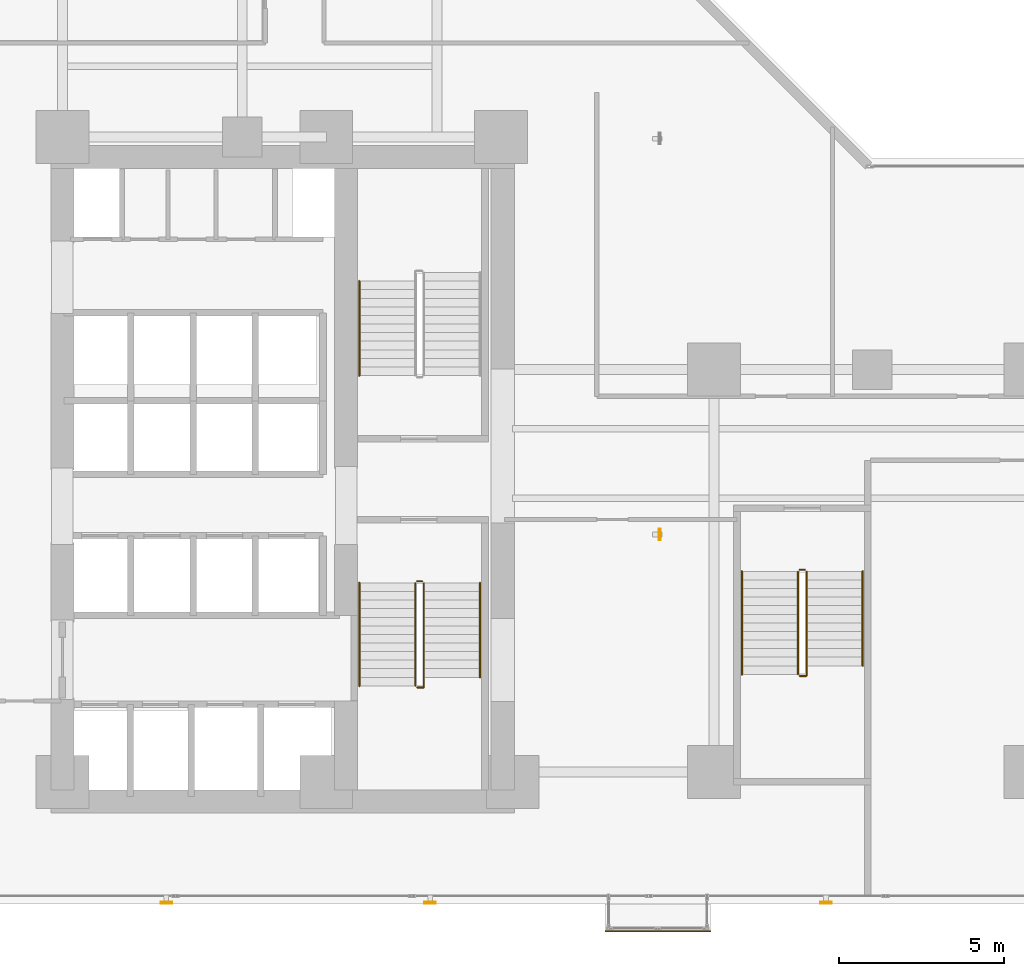
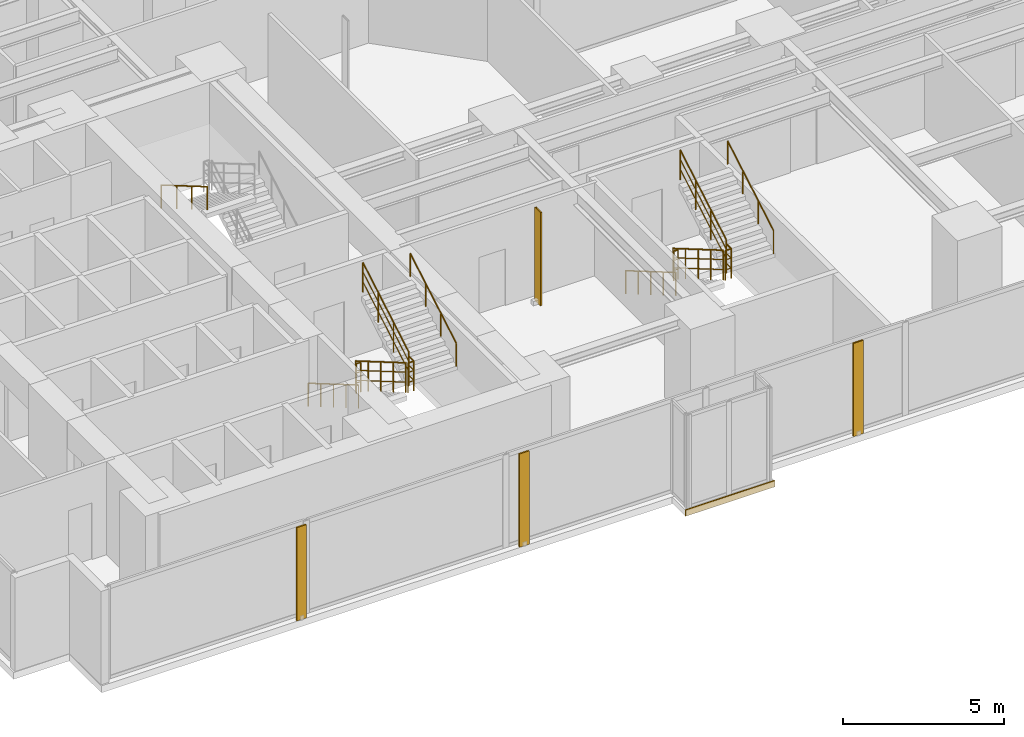
# One storey, part 25 of 26: 13 railings, 4 shading devices, 1 covering.
"""IFC4 building model written with IfcOpenShell, lengths in metres."""

from ifc_helpers import new_model, si_unit, direction, frame, origin, origin_2d, place, context, subcontext, project, spatial, rectangle, hollow_rectangle, circle, extrude, material, layer, layer_set, material_profile, profile_set, type_object, element, save


model = new_model("IFC4")

# Units and contexts
model_context = context("Model", 3, precision=1e-05, world=origin(), true_north=direction((0.0, 1.0)))
body_context = subcontext(model_context, "Body", "Model", "MODEL_VIEW")
ifc_project = project(units=[si_unit("LENGTHUNIT", "METRE"), si_unit("AREAUNIT", "SQUARE_METRE"), si_unit("VOLUMEUNIT", "CUBIC_METRE"), si_unit("PLANEANGLEUNIT", "RADIAN"), si_unit("MASSUNIT", "GRAM", prefix="KILO")], contexts=[model_context])

# Site, building, storey
site_placement = place(None, origin())
site = spatial("IfcSite", under=ifc_project, at=site_placement, CompositionType="ELEMENT")
building_placement = place(site_placement, origin())
building = spatial("IfcBuilding", under=site, at=building_placement, Name="Kolvaren Waterfront Exchange", CompositionType="ELEMENT")
storey_placement = place(building_placement, frame((0.0, 0.0, 44.800048828125)))
storey = spatial("IfcBuildingStorey", under=building, at=storey_placement, Name="L11", CompositionType="ELEMENT", Elevation=44.800048828125)

# Covering
ifc_material_1 = material(Name="Anodised bronze fascia aluminium", Category="aluminium")
ifc_layer = layer(ifc_material_1, 0.034912109375, Name="Anodised bronze fascia aluminium")
ifc_layer_set = layer_set([ifc_layer], Name="Anodised bronze fascia aluminium")
covering_type = type_object("IfcCoveringType", Name="ARC-CLAD-BRONZE-35", PredefinedType="CLADDING", material=ifc_layer_set)
covering_placement = place(storey_placement, frame((25.5, 0.3701171875, -0.22021484375), z_axis=(0.0, 0.0, 1.0), x_axis=(1.0, 0.0, 0.0)))
element("IfcCovering", 1, at=covering_placement, inside=storey, type_object=covering_type, Name="L11 ribbed anodised bronze bay-box fascia", PredefinedType="CLADDING", context=body_context, shape_type="SweptSolid", body=[
    extrude(rectangle(XDim=3.199951171875, YDim=0.034912109375, at=origin_2d()), origin(), (0.0, 0.0, 1.0), 0.239990234375),
])

# Shading devices
ifc_material_2 = material(Name="Anodised bronze aluminium 6063-T6", Category="aluminium")
ifc_material_profile = material_profile(ifc_material_2, hollow_rectangle(XDim=0.06005859375, YDim=0.35009765625, WallThickness=0.0048828125, at=origin_2d()), Name="BRZ-FIN-350x60x5")
ifc_profile_set = profile_set([ifc_material_profile], Name="Anodised bronze aluminium 6063-T6")
shading_device_type = type_object("IfcShadingDeviceType", Name="ARC-FIN-350", PredefinedType="USERDEFINED", material=ifc_profile_set)
for number, where, z_axis, x_axis, name in (
    (2, (10.60009765625, 1.239990234375, 0.0), (0.0, 0.0, 1.0), (0.0, -1.0, 0.0), "L11 anodised bronze solar shading fin FIN-L11-S1"),
    (3, (18.60009765625, 1.239990234375, 0.0), (0.0, 0.0, 1.0), (0.0, -1.0, 0.0), "L11 anodised bronze solar shading fin FIN-L11-S2"),
    (4, (30.60009765625, 1.239990234375, 0.0), (0.0, 0.0, 1.0), (0.0, -1.0, 0.0), "L11 anodised bronze solar shading fin FIN-L11-S3"),
    (5, (25.56005859375, 12.39990234375, 0.0), (0.0, 0.0, 1.0), (1.0, 0.0, 0.0), "L11 anodised bronze solar shading fin FIN-L11-E1"),
):
    element("IfcShadingDevice", number, at=place(storey_placement, frame(where, z_axis=z_axis, x_axis=x_axis)), inside=storey, type_object=shading_device_type, Name=name, ObjectType="SOLAR FIN", PredefinedType="USERDEFINED", context=body_context, shape_type="SweptSolid", body=[
        extrude(hollow_rectangle(XDim=0.06005859375, YDim=0.35009765625, WallThickness=0.0048828125, at=origin_2d()), origin(), (0.0, 0.0, 1.0), 3.5400390625),
    ])

# Railings
ifc_material_3 = material(Name="Stainless steel 316", Category="steel")
railing_type_1 = type_object("IfcRailingType", Name="ARC-GUARD-STAIR", PredefinedType="GUARDRAIL", material=ifc_material_3)
railing_1_placement = place(storey_placement, frame((18.14990234375, 10.929931640625, 0.15185546875)))
element("IfcRailing", 6, at=railing_1_placement, inside=storey, type_object=railing_type_1, Name="L11 ST1 stair guard 1", PredefinedType="GUARDRAIL", context=body_context, shape_type="SweptSolid", body=[
    extrude(circle(Radius=0.02392578125, at=origin_2d()), frame((0.0, 0.0, 1.1259765625), z_axis=(0.0, -0.86329090724, 0.504706656858), x_axis=(1.0, 0.0, 0.0)), (0.0, 0.0, 1.0), 3.614013671875),
    extrude(circle(Radius=0.01611328125, at=origin_2d()), frame((0.0, 0.0, 0.390869140625), z_axis=(0.0, -0.86329090724, 0.504706656858), x_axis=(1.0, 0.0, 0.0)), (0.0, 0.0, 1.0), 3.614013671875),
    extrude(circle(Radius=0.01611328125, at=origin_2d()), frame((0.0, 0.0, 0.7705078125), z_axis=(0.0, -0.86329090724, 0.504706656858), x_axis=(1.0, 0.0, 0.0)), (0.0, 0.0, 1.0), 3.614013671875),
    extrude(circle(Radius=0.02099609375, at=origin_2d()), origin(), (0.0, 0.0, 1.0), 1.101806640625),
    extrude(circle(Radius=0.02099609375, at=origin_2d()), frame((0.0, -0.780029296875, 0.4560546875)), (0.0, 0.0, 1.0), 1.101806640625),
    extrude(circle(Radius=0.02099609375, at=origin_2d()), frame((0.0, -1.56005859375, 0.912109375)), (0.0, 0.0, 1.0), 1.101806640625),
    extrude(circle(Radius=0.02099609375, at=origin_2d()), frame((0.0, -2.33984375, 1.367919921875)), (0.0, 0.0, 1.0), 1.101806640625),
    extrude(circle(Radius=0.02099609375, at=origin_2d()), frame((0.0, -3.119873046875, 1.823974609375)), (0.0, 0.0, 1.0), 1.101806640625),
])
railing_2_placement = place(storey_placement, frame((18.199951171875, 7.760009765625, 1.975830078125)))
element("IfcRailing", 7, at=railing_2_placement, inside=storey, type_object=railing_type_1, Name="L11 ST1 stair guard 2", PredefinedType="GUARDRAIL", context=body_context, shape_type="SweptSolid", body=[
    extrude(circle(Radius=0.02392578125, at=origin_2d()), frame((0.0, 0.0, 1.1259765625), z_axis=(1.0, 0.0, 0.0), x_axis=(0.0, 1.0, 0.0)), (0.0, 0.0, 1.0), 0.2099609375),
    extrude(circle(Radius=0.01611328125, at=origin_2d()), frame((0.0, 0.0, 0.390869140625), z_axis=(1.0, 0.0, 0.0), x_axis=(0.0, 1.0, 0.0)), (0.0, 0.0, 1.0), 0.2099609375),
    extrude(circle(Radius=0.01611328125, at=origin_2d()), frame((0.0, 0.0, 0.7705078125), z_axis=(1.0, 0.0, 0.0), x_axis=(0.0, 1.0, 0.0)), (0.0, 0.0, 1.0), 0.2099609375),
    extrude(circle(Radius=0.02392578125, at=origin_2d()), frame((0.2099609375, 0.0, 1.1259765625), z_axis=(0.0, 1.0, 0.0), x_axis=(-1.0, 0.0, 0.0)), (0.0, 0.0, 1.0), 0.31005859375),
    extrude(circle(Radius=0.01611328125, at=origin_2d()), frame((0.2099609375, 0.0, 0.390869140625), z_axis=(0.0, 1.0, 0.0), x_axis=(-1.0, 0.0, 0.0)), (0.0, 0.0, 1.0), 0.31005859375),
    extrude(circle(Radius=0.01611328125, at=origin_2d()), frame((0.2099609375, 0.0, 0.7705078125), z_axis=(0.0, 1.0, 0.0), x_axis=(-1.0, 0.0, 0.0)), (0.0, 0.0, 1.0), 0.31005859375),
    extrude(circle(Radius=0.02099609375, at=origin_2d()), origin(), (0.0, 0.0, 1.0), 1.101806640625),
    extrude(circle(Radius=0.02099609375, at=origin_2d()), frame((0.2099609375, 0.0, 0.0)), (0.0, 0.0, 1.0), 1.101806640625),
    extrude(circle(Radius=0.02099609375, at=origin_2d()), frame((0.2099609375, 0.31005859375, 0.0)), (0.0, 0.0, 1.0), 1.101806640625),
])
railing_3_placement = place(storey_placement, frame((18.409912109375, 8.070068359375, 2.1279296875)))
element("IfcRailing", 8, at=railing_3_placement, inside=storey, type_object=railing_type_1, Name="L11 ST1 stair guard 3", PredefinedType="GUARDRAIL", context=body_context, shape_type="SweptSolid", body=[
    extrude(circle(Radius=0.02392578125, at=origin_2d()), frame((0.0, 0.0, 1.1259765625), z_axis=(0.0, 0.863270611444, 0.50474137082), x_axis=(-1.0, 0.0, 0.0)), (0.0, 0.0, 1.0), 3.312744140625),
    extrude(circle(Radius=0.01611328125, at=origin_2d()), frame((0.0, 0.0, 0.390869140625), z_axis=(0.0, 0.863270611444, 0.50474137082), x_axis=(-1.0, 0.0, 0.0)), (0.0, 0.0, 1.0), 3.312744140625),
    extrude(circle(Radius=0.01611328125, at=origin_2d()), frame((0.0, 0.0, 0.7705078125), z_axis=(0.0, 0.863270611444, 0.50474137082), x_axis=(-1.0, 0.0, 0.0)), (0.0, 0.0, 1.0), 3.312744140625),
    extrude(circle(Radius=0.02099609375, at=origin_2d()), origin(), (0.0, 0.0, 1.0), 1.101806640625),
    extrude(circle(Radius=0.02099609375, at=origin_2d()), frame((0.0, 0.953369140625, 0.557373046875)), (0.0, 0.0, 1.0), 1.101806640625),
    extrude(circle(Radius=0.02099609375, at=origin_2d()), frame((0.0, 1.906494140625, 1.11474609375)), (0.0, 0.0, 1.0), 1.101806640625),
    extrude(circle(Radius=0.02099609375, at=origin_2d()), frame((0.0, 2.85986328125, 1.672119140625)), (0.0, 0.0, 1.0), 1.101806640625),
])
railing_4_placement = place(storey_placement, frame((18.199951171875, 10.97998046875, 0.0)))
element("IfcRailing", 9, at=railing_4_placement, inside=storey, type_object=railing_type_1, Name="L11 ST1 stair guard 4", PredefinedType="GUARDRAIL", context=body_context, shape_type="SweptSolid", body=[
    extrude(circle(Radius=0.02392578125, at=origin_2d()), frame((0.0, 0.0, 1.1259765625), z_axis=(1.0, 0.0, 0.0), x_axis=(0.0, 1.0, 0.0)), (0.0, 0.0, 1.0), 0.16015625),
    extrude(circle(Radius=0.01611328125, at=origin_2d()), frame((0.0, 0.0, 0.390869140625), z_axis=(1.0, 0.0, 0.0), x_axis=(0.0, 1.0, 0.0)), (0.0, 0.0, 1.0), 0.16015625),
    extrude(circle(Radius=0.01611328125, at=origin_2d()), frame((0.0, 0.0, 0.7705078125), z_axis=(1.0, 0.0, 0.0), x_axis=(0.0, 1.0, 0.0)), (0.0, 0.0, 1.0), 0.16015625),
    extrude(circle(Radius=0.02099609375, at=origin_2d()), origin(), (0.0, 0.0, 1.0), 1.101806640625),
    extrude(circle(Radius=0.02099609375, at=origin_2d()), frame((0.16015625, 0.0, 0.0)), (0.0, 0.0, 1.0), 1.101806640625),
])
railing_5_placement = place(storey_placement, frame((29.75, 11.280029296875, 0.15185546875)))
element("IfcRailing", 10, at=railing_5_placement, inside=storey, type_object=railing_type_1, Name="L11 ST3 stair guard 1", PredefinedType="GUARDRAIL", context=body_context, shape_type="SweptSolid", body=[
    extrude(circle(Radius=0.02392578125, at=origin_2d()), frame((0.0, 0.0, 1.1259765625), z_axis=(0.0, -0.86330811405, 0.504677223793), x_axis=(1.0, 0.0, 0.0)), (0.0, 0.0, 1.0), 3.6142578125),
    extrude(circle(Radius=0.01611328125, at=origin_2d()), frame((0.0, 0.0, 0.390869140625), z_axis=(0.0, -0.86330811405, 0.504677223793), x_axis=(1.0, 0.0, 0.0)), (0.0, 0.0, 1.0), 3.6142578125),
    extrude(circle(Radius=0.01611328125, at=origin_2d()), frame((0.0, 0.0, 0.7705078125), z_axis=(0.0, -0.86330811405, 0.504677223793), x_axis=(1.0, 0.0, 0.0)), (0.0, 0.0, 1.0), 3.6142578125),
    extrude(circle(Radius=0.02099609375, at=origin_2d()), origin(), (0.0, 0.0, 1.0), 1.101806640625),
    extrude(circle(Radius=0.02099609375, at=origin_2d()), frame((0.0, -0.780029296875, 0.4560546875)), (0.0, 0.0, 1.0), 1.101806640625),
    extrude(circle(Radius=0.02099609375, at=origin_2d()), frame((0.0, -1.56005859375, 0.912109375)), (0.0, 0.0, 1.0), 1.101806640625),
    extrude(circle(Radius=0.02099609375, at=origin_2d()), frame((0.0, -2.340087890625, 1.367919921875)), (0.0, 0.0, 1.0), 1.101806640625),
    extrude(circle(Radius=0.02099609375, at=origin_2d()), frame((0.0, -3.1201171875, 1.823974609375)), (0.0, 0.0, 1.0), 1.101806640625),
])
railing_6_placement = place(storey_placement, frame((29.800048828125, 8.110107421875, 1.975830078125)))
element("IfcRailing", 11, at=railing_6_placement, inside=storey, type_object=railing_type_1, Name="L11 ST3 stair guard 2", PredefinedType="GUARDRAIL", context=body_context, shape_type="SweptSolid", body=[
    extrude(circle(Radius=0.02392578125, at=origin_2d()), frame((0.0, 0.0, 1.1259765625), z_axis=(1.0, 0.0, 0.0), x_axis=(0.0, 1.0, 0.0)), (0.0, 0.0, 1.0), 0.2099609375),
    extrude(circle(Radius=0.01611328125, at=origin_2d()), frame((0.0, 0.0, 0.390869140625), z_axis=(1.0, 0.0, 0.0), x_axis=(0.0, 1.0, 0.0)), (0.0, 0.0, 1.0), 0.2099609375),
    extrude(circle(Radius=0.01611328125, at=origin_2d()), frame((0.0, 0.0, 0.7705078125), z_axis=(1.0, 0.0, 0.0), x_axis=(0.0, 1.0, 0.0)), (0.0, 0.0, 1.0), 0.2099609375),
    extrude(circle(Radius=0.02392578125, at=origin_2d()), frame((0.2099609375, 0.0, 1.1259765625), z_axis=(0.0, 1.0, 0.0), x_axis=(-1.0, 0.0, 0.0)), (0.0, 0.0, 1.0), 0.309814453125),
    extrude(circle(Radius=0.01611328125, at=origin_2d()), frame((0.2099609375, 0.0, 0.390869140625), z_axis=(0.0, 1.0, 0.0), x_axis=(-1.0, 0.0, 0.0)), (0.0, 0.0, 1.0), 0.309814453125),
    extrude(circle(Radius=0.01611328125, at=origin_2d()), frame((0.2099609375, 0.0, 0.7705078125), z_axis=(0.0, 1.0, 0.0), x_axis=(-1.0, 0.0, 0.0)), (0.0, 0.0, 1.0), 0.309814453125),
    extrude(circle(Radius=0.02099609375, at=origin_2d()), origin(), (0.0, 0.0, 1.0), 1.101806640625),
    extrude(circle(Radius=0.02099609375, at=origin_2d()), frame((0.2099609375, 0.0, 0.0)), (0.0, 0.0, 1.0), 1.101806640625),
    extrude(circle(Radius=0.02099609375, at=origin_2d()), frame((0.2099609375, 0.309814453125, 0.0)), (0.0, 0.0, 1.0), 1.101806640625),
])
railing_7_placement = place(storey_placement, frame((30.010009765625, 8.419921875, 2.1279296875)))
element("IfcRailing", 12, at=railing_7_placement, inside=storey, type_object=railing_type_1, Name="L11 ST3 stair guard 3", PredefinedType="GUARDRAIL", context=body_context, shape_type="SweptSolid", body=[
    extrude(circle(Radius=0.02392578125, at=origin_2d()), frame((0.0, 0.0, 1.1259765625), z_axis=(0.0, 0.863289384635, 0.504709261235), x_axis=(-1.0, 0.0, 0.0)), (0.0, 0.0, 1.0), 3.31298828125),
    extrude(circle(Radius=0.01611328125, at=origin_2d()), frame((0.0, 0.0, 0.390869140625), z_axis=(0.0, 0.863289384635, 0.504709261235), x_axis=(-1.0, 0.0, 0.0)), (0.0, 0.0, 1.0), 3.31298828125),
    extrude(circle(Radius=0.01611328125, at=origin_2d()), frame((0.0, 0.0, 0.7705078125), z_axis=(0.0, 0.863289384635, 0.504709261235), x_axis=(-1.0, 0.0, 0.0)), (0.0, 0.0, 1.0), 3.31298828125),
    extrude(circle(Radius=0.02099609375, at=origin_2d()), origin(), (0.0, 0.0, 1.0), 1.101806640625),
    extrude(circle(Radius=0.02099609375, at=origin_2d()), frame((0.0, 0.953369140625, 0.557373046875)), (0.0, 0.0, 1.0), 1.101806640625),
    extrude(circle(Radius=0.02099609375, at=origin_2d()), frame((0.0, 1.90673828125, 1.11474609375)), (0.0, 0.0, 1.0), 1.101806640625),
    extrude(circle(Radius=0.02099609375, at=origin_2d()), frame((0.0, 2.860107421875, 1.672119140625)), (0.0, 0.0, 1.0), 1.101806640625),
])
railing_8_placement = place(storey_placement, frame((29.800048828125, 11.330078125, 0.0)))
element("IfcRailing", 13, at=railing_8_placement, inside=storey, type_object=railing_type_1, Name="L11 ST3 stair guard 4", PredefinedType="GUARDRAIL", context=body_context, shape_type="SweptSolid", body=[
    extrude(circle(Radius=0.02392578125, at=origin_2d()), frame((0.0, 0.0, 1.1259765625), z_axis=(1.0, 0.0, 0.0), x_axis=(0.0, 1.0, 0.0)), (0.0, 0.0, 1.0), 0.159912109375),
    extrude(circle(Radius=0.01611328125, at=origin_2d()), frame((0.0, 0.0, 0.390869140625), z_axis=(1.0, 0.0, 0.0), x_axis=(0.0, 1.0, 0.0)), (0.0, 0.0, 1.0), 0.159912109375),
    extrude(circle(Radius=0.01611328125, at=origin_2d()), frame((0.0, 0.0, 0.7705078125), z_axis=(1.0, 0.0, 0.0), x_axis=(0.0, 1.0, 0.0)), (0.0, 0.0, 1.0), 0.159912109375),
    extrude(circle(Radius=0.02099609375, at=origin_2d()), origin(), (0.0, 0.0, 1.0), 1.101806640625),
    extrude(circle(Radius=0.02099609375, at=origin_2d()), frame((0.159912109375, 0.0, 0.0)), (0.0, 0.0, 1.0), 1.101806640625),
])
railing_type_2 = type_object("IfcRailingType", Name="ARC-HANDRAIL-900", PredefinedType="HANDRAIL", material=ifc_material_3)
railing_9_placement = place(storey_placement, frame((16.449951171875, 10.929931640625, 0.15185546875)))
element("IfcRailing", 14, at=railing_9_placement, inside=storey, type_object=railing_type_2, Name="L11 ST1 stair handrail 1", PredefinedType="HANDRAIL", context=body_context, shape_type="SweptSolid", body=[
    extrude(circle(Radius=0.02392578125, at=origin_2d()), frame((0.0, 0.0, 0.8759765625), z_axis=(0.0, -0.86329090724, 0.504706656858), x_axis=(1.0, 0.0, 0.0)), (0.0, 0.0, 1.0), 3.614013671875),
    extrude(circle(Radius=0.02099609375, at=origin_2d()), origin(), (0.0, 0.0, 1.0), 0.851806640625),
    extrude(circle(Radius=0.02099609375, at=origin_2d()), frame((0.0, -0.780029296875, 0.4560546875)), (0.0, 0.0, 1.0), 0.851806640625),
    extrude(circle(Radius=0.02099609375, at=origin_2d()), frame((0.0, -1.56005859375, 0.912109375)), (0.0, 0.0, 1.0), 0.851806640625),
    extrude(circle(Radius=0.02099609375, at=origin_2d()), frame((0.0, -2.33984375, 1.367919921875)), (0.0, 0.0, 1.0), 0.851806640625),
    extrude(circle(Radius=0.02099609375, at=origin_2d()), frame((0.0, -3.119873046875, 1.823974609375)), (0.0, 0.0, 1.0), 0.851806640625),
])
railing_10_placement = place(storey_placement, frame((20.110107421875, 8.070068359375, 2.1279296875)))
element("IfcRailing", 15, at=railing_10_placement, inside=storey, type_object=railing_type_2, Name="L11 ST1 stair handrail 2", PredefinedType="HANDRAIL", context=body_context, shape_type="SweptSolid", body=[
    extrude(circle(Radius=0.02392578125, at=origin_2d()), frame((0.0, 0.0, 0.8759765625), z_axis=(0.0, 0.863270611444, 0.50474137082), x_axis=(-1.0, 0.0, 0.0)), (0.0, 0.0, 1.0), 3.312744140625),
    extrude(circle(Radius=0.02099609375, at=origin_2d()), origin(), (0.0, 0.0, 1.0), 0.851806640625),
    extrude(circle(Radius=0.02099609375, at=origin_2d()), frame((0.0, 0.953369140625, 0.557373046875)), (0.0, 0.0, 1.0), 0.851806640625),
    extrude(circle(Radius=0.02099609375, at=origin_2d()), frame((0.0, 1.906494140625, 1.11474609375)), (0.0, 0.0, 1.0), 0.851806640625),
    extrude(circle(Radius=0.02099609375, at=origin_2d()), frame((0.0, 2.85986328125, 1.672119140625)), (0.0, 0.0, 1.0), 0.851806640625),
])
railing_11_placement = place(storey_placement, frame((16.449951171875, 20.080078125, 2.1279296875)))
element("IfcRailing", 16, at=railing_11_placement, inside=storey, type_object=railing_type_2, Name="L11 ST2 stair handrail 2", PredefinedType="HANDRAIL", context=body_context, shape_type="SweptSolid", body=[
    extrude(circle(Radius=0.02392578125, at=origin_2d()), frame((0.0, 0.0, 0.8759765625), z_axis=(0.0, -0.863289384635, 0.504709261235), x_axis=(1.0, 0.0, 0.0)), (0.0, 0.0, 1.0), 3.31298828125),
    extrude(circle(Radius=0.02099609375, at=origin_2d()), origin(), (0.0, 0.0, 1.0), 0.851806640625),
    extrude(circle(Radius=0.02099609375, at=origin_2d()), frame((0.0, -0.953369140625, 0.557373046875)), (0.0, 0.0, 1.0), 0.851806640625),
    extrude(circle(Radius=0.02099609375, at=origin_2d()), frame((0.0, -1.90673828125, 1.11474609375)), (0.0, 0.0, 1.0), 0.851806640625),
    extrude(circle(Radius=0.02099609375, at=origin_2d()), frame((0.0, -2.860107421875, 1.672119140625)), (0.0, 0.0, 1.0), 0.851806640625),
])
railing_12_placement = place(storey_placement, frame((28.050048828125, 11.280029296875, 0.15185546875)))
element("IfcRailing", 17, at=railing_12_placement, inside=storey, type_object=railing_type_2, Name="L11 ST3 stair handrail 1", PredefinedType="HANDRAIL", context=body_context, shape_type="SweptSolid", body=[
    extrude(circle(Radius=0.02392578125, at=origin_2d()), frame((0.0, 0.0, 0.8759765625), z_axis=(0.0, -0.86330811405, 0.504677223793), x_axis=(1.0, 0.0, 0.0)), (0.0, 0.0, 1.0), 3.6142578125),
    extrude(circle(Radius=0.02099609375, at=origin_2d()), origin(), (0.0, 0.0, 1.0), 0.851806640625),
    extrude(circle(Radius=0.02099609375, at=origin_2d()), frame((0.0, -0.780029296875, 0.4560546875)), (0.0, 0.0, 1.0), 0.851806640625),
    extrude(circle(Radius=0.02099609375, at=origin_2d()), frame((0.0, -1.56005859375, 0.912109375)), (0.0, 0.0, 1.0), 0.851806640625),
    extrude(circle(Radius=0.02099609375, at=origin_2d()), frame((0.0, -2.340087890625, 1.367919921875)), (0.0, 0.0, 1.0), 0.851806640625),
    extrude(circle(Radius=0.02099609375, at=origin_2d()), frame((0.0, -3.1201171875, 1.823974609375)), (0.0, 0.0, 1.0), 0.851806640625),
])
railing_13_placement = place(storey_placement, frame((31.7099609375, 8.419921875, 2.1279296875)))
element("IfcRailing", 18, at=railing_13_placement, inside=storey, type_object=railing_type_2, Name="L11 ST3 stair handrail 2", PredefinedType="HANDRAIL", context=body_context, shape_type="SweptSolid", body=[
    extrude(circle(Radius=0.02392578125, at=origin_2d()), frame((0.0, 0.0, 0.8759765625), z_axis=(0.0, 0.863289384635, 0.504709261235), x_axis=(-1.0, 0.0, 0.0)), (0.0, 0.0, 1.0), 3.31298828125),
    extrude(circle(Radius=0.02099609375, at=origin_2d()), origin(), (0.0, 0.0, 1.0), 0.851806640625),
    extrude(circle(Radius=0.02099609375, at=origin_2d()), frame((0.0, 0.953369140625, 0.557373046875)), (0.0, 0.0, 1.0), 0.851806640625),
    extrude(circle(Radius=0.02099609375, at=origin_2d()), frame((0.0, 1.90673828125, 1.11474609375)), (0.0, 0.0, 1.0), 0.851806640625),
    extrude(circle(Radius=0.02099609375, at=origin_2d()), frame((0.0, 2.860107421875, 1.672119140625)), (0.0, 0.0, 1.0), 0.851806640625),
])

save(model, "model.ifc")
